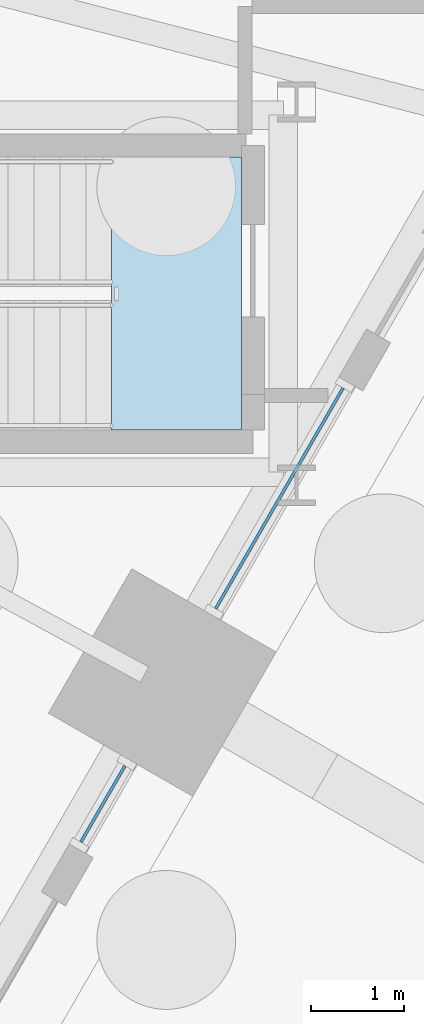
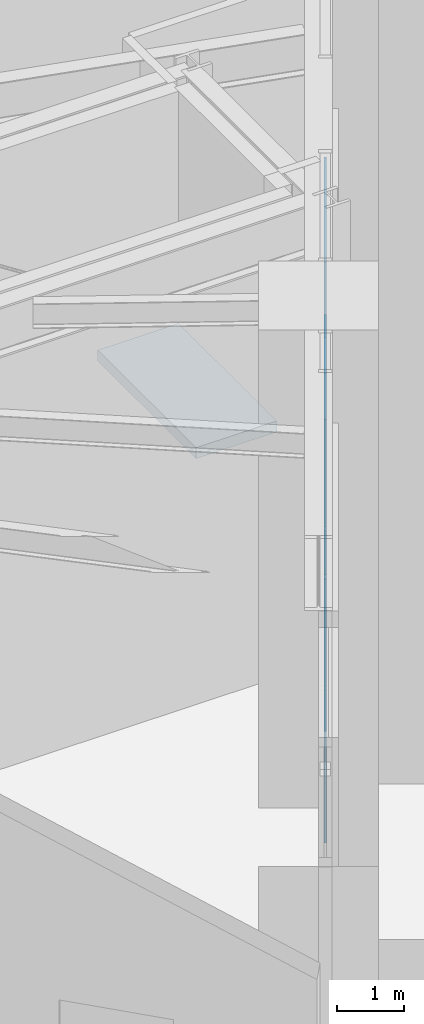
# One storey, part 20 of 43: 6 plates, 1 slab, 3 elements without a shape of their own.
"""IFC4 building model written with IfcOpenShell, lengths in metres."""

from ifc_helpers import new_model, si_unit, direction, frame, origin, origin_2d, place, context, subcontext, project, spatial, polyline, rectangle, outline, extrude, material, layer, layer_set, type_object, element, aggregate, save


model = new_model("IFC4")

# Units and contexts
model_context = context("Model", 3, precision=1e-05, world=origin(), true_north=direction((0.0, 1.0)))
body_context = subcontext(model_context, "Body", "Model", "MODEL_VIEW")
ifc_project = project(units=[si_unit("LENGTHUNIT", "METRE"), si_unit("AREAUNIT", "SQUARE_METRE"), si_unit("VOLUMEUNIT", "CUBIC_METRE"), si_unit("PLANEANGLEUNIT", "RADIAN"), si_unit("MASSUNIT", "GRAM", prefix="KILO")], contexts=[model_context])

# Site, building, storey
site_placement = place(None, origin())
site = spatial("IfcSite", under=ifc_project, at=site_placement, CompositionType="ELEMENT")
building_placement = place(site_placement, origin())
building = spatial("IfcBuilding", under=site, at=building_placement, Name="Tarnside Tower", CompositionType="ELEMENT")
storey_placement = place(building_placement, origin())
storey = spatial("IfcBuildingStorey", under=building, at=storey_placement, Name="L00", CompositionType="ELEMENT", Elevation=0.0)

# Stair, slab
ifc_material_1 = material(Name="Concrete C40/50", Category="concrete")
stair_type = type_object("IfcStairType", Name="Podium exit stair 1400 clear", PredefinedType="HALF_TURN_STAIR", material=ifc_material_1)
stair_placement = place(storey_placement, origin())
stair = element("IfcStair", 1, at=stair_placement, inside=storey, type_object=stair_type, Name="L00 Podium exit stair 5", PredefinedType="HALF_TURN_STAIR")
ifc_layer_1 = layer(ifc_material_1, 0.199951171875)
ifc_layer_set_1 = layer_set([ifc_layer_1], Name="Podium stair landing 200 C40/50")
slab_type = type_object("IfcSlabType", Name="Podium stair landing 200 C40/50", PredefinedType="LANDING", material=ifc_layer_set_1)
slab_placement = place(storey_placement, frame((0.0, 0.0, 4.300048828125)))
slab = element("IfcSlab", 2, at=slab_placement, type_object=slab_type, Name="PS5 landing 1", PredefinedType="LANDING", context=body_context, shape_type="SweptSolid", body=[
    extrude(outline(polyline([(25.260009765625, -10.77490234375), (26.659912109375, -10.77490234375), (26.659912109375, -7.824951171875), (25.260009765625, -7.824951171875), (25.260009765625, -10.77490234375)])), origin(), (0.0, 0.0, 1.0), 0.199951171875),
])
aggregate(stair, [slab])

# Curtain wall, plates
ifc_material_2 = material(Name="Station concourse glazing wall", Category="glass")
curtain_wall_type = type_object("IfcCurtainWallType", Name="Station concourse glazing wall", PredefinedType="NOTDEFINED", material=ifc_material_2)
curtain_wall_1_placement = place(storey_placement, origin())
curtain_wall_1 = element("IfcCurtainWall", 3, at=curtain_wall_1_placement, inside=storey, type_object=curtain_wall_type, Name="Side light 16b", PredefinedType="NOTDEFINED")
ifc_material_3 = material(Name="Low-iron safety glass", Category="glass")
ifc_layer_2 = layer(ifc_material_3, 0.031982421875)
ifc_layer_set_2 = layer_set([ifc_layer_2], Name="Station concourse glazing panel 32")
plate_type = type_object("IfcPlateType", Name="Station concourse glazing panel 32", PredefinedType="CURTAIN_PANEL", material=ifc_layer_set_2)
plate_1_placement = place(storey_placement, frame((25.16552734375, -14.81201171875, 0.080078125), z_axis=(0.0, 0.0, 1.0), x_axis=(0.49999999997, 0.866025403802, 0.0)))
plate_1 = element("IfcPlate", 4, at=plate_1_placement, type_object=plate_type, Name="CW1 panel 1.1", PredefinedType="CURTAIN_PANEL", context=body_context, shape_type="SweptSolid", body=[
    extrude(rectangle(XDim=0.951904296875, YDim=0.031982421875, at=origin_2d()), origin(), (0.0, 0.0, 1.0), 2.796630859375),
])
plate_2_placement = place(storey_placement, frame((25.16552734375, -14.81201171875, 2.95654296875), z_axis=(0.0, 0.0, 1.0), x_axis=(0.49999999997, 0.866025403802, 0.0)))
plate_2 = element("IfcPlate", 5, at=plate_2_placement, type_object=plate_type, Name="CW1 panel 1.2", PredefinedType="CURTAIN_PANEL", context=body_context, shape_type="SweptSolid", body=[
    extrude(rectangle(XDim=0.951904296875, YDim=0.031982421875, at=origin_2d()), origin(), (0.0, 0.0, 1.0), 2.836669921875),
])
plate_3_placement = place(storey_placement, frame((25.16552734375, -14.81201171875, 5.87353515625), z_axis=(0.0, 0.0, 1.0), x_axis=(0.49999999997, 0.866025403802, 0.0)))
plate_3 = element("IfcPlate", 6, at=plate_3_placement, type_object=plate_type, Name="CW1 panel 1.3", PredefinedType="CURTAIN_PANEL", context=body_context, shape_type="SweptSolid", body=[
    extrude(rectangle(XDim=0.951904296875, YDim=0.031982421875, at=origin_2d()), origin(), (0.0, 0.0, 1.0), 2.796630859375),
])
aggregate(curtain_wall_1, [plate_1, plate_2, plate_3])

curtain_wall_2_placement = place(storey_placement, origin())
curtain_wall_2 = element("IfcCurtainWall", 7, at=curtain_wall_2_placement, inside=storey, type_object=curtain_wall_type, Name="Side light 170a", PredefinedType="NOTDEFINED")
plate_4_placement = place(storey_placement, frame((27.071533203125, -11.510986328125, 0.080078125), z_axis=(0.0, 0.0, 1.0), x_axis=(0.500000000106, 0.866025403723, 0.0)))
plate_4 = element("IfcPlate", 8, at=plate_4_placement, type_object=plate_type, Name="CW1 panel 1.1", PredefinedType="CURTAIN_PANEL", context=body_context, shape_type="SweptSolid", body=[
    extrude(rectangle(XDim=2.751953125, YDim=0.031982421875, at=origin_2d()), origin(), (0.0, 0.0, 1.0), 2.796630859375),
])
plate_5_placement = place(storey_placement, frame((27.071533203125, -11.510986328125, 2.95654296875), z_axis=(0.0, 0.0, 1.0), x_axis=(0.500000000106, 0.866025403723, 0.0)))
plate_5 = element("IfcPlate", 9, at=plate_5_placement, type_object=plate_type, Name="CW1 panel 1.2", PredefinedType="CURTAIN_PANEL", context=body_context, shape_type="SweptSolid", body=[
    extrude(rectangle(XDim=2.751953125, YDim=0.031982421875, at=origin_2d()), origin(), (0.0, 0.0, 1.0), 2.836669921875),
])
plate_6_placement = place(storey_placement, frame((27.071533203125, -11.510986328125, 5.87353515625), z_axis=(0.0, 0.0, 1.0), x_axis=(0.500000000106, 0.866025403723, 0.0)))
plate_6 = element("IfcPlate", 10, at=plate_6_placement, type_object=plate_type, Name="CW1 panel 1.3", PredefinedType="CURTAIN_PANEL", context=body_context, shape_type="SweptSolid", body=[
    extrude(rectangle(XDim=2.751953125, YDim=0.031982421875, at=origin_2d()), origin(), (0.0, 0.0, 1.0), 2.796630859375),
])
aggregate(curtain_wall_2, [plate_4, plate_5, plate_6])

save(model, "model.ifc")
